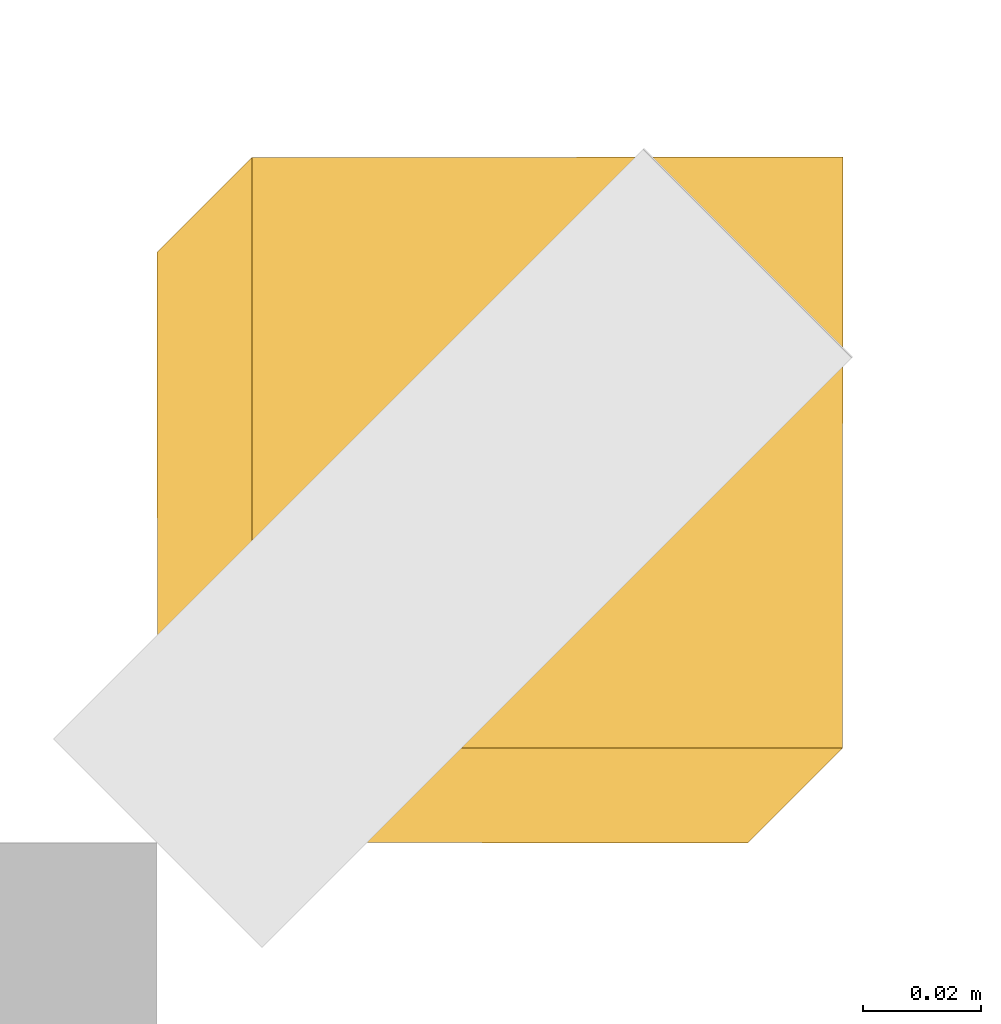
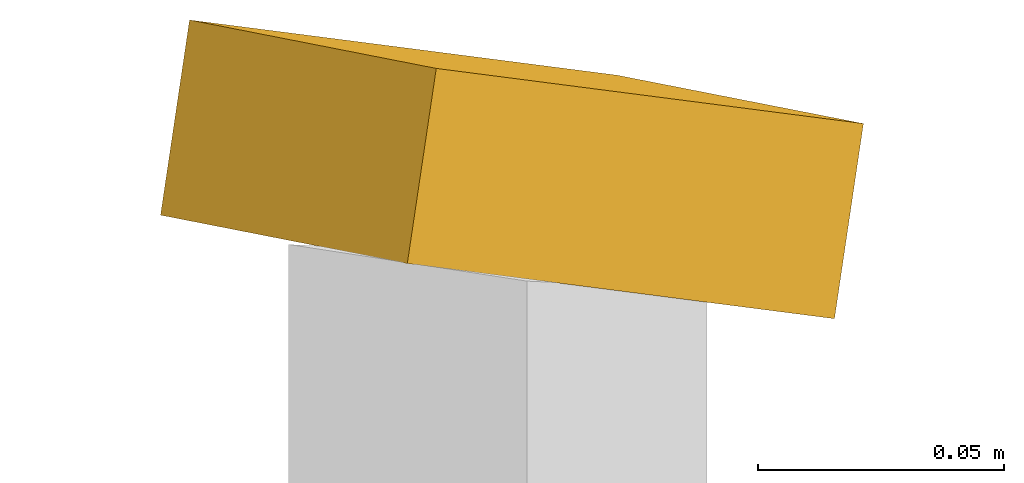
# One storey, part 10 of 10: 1 shading device.
"""IFC4 building model written with IfcOpenShell, lengths in metres."""

from ifc_helpers import new_model, si_unit, direction, frame, origin, place, context, subcontext, project, spatial, polyline, outline, extrude, material, layer, layer_set, type_object, element, save


model = new_model("IFC4")

# Units and contexts
model_context = context("Model", 3, precision=1e-05, world=origin(), true_north=direction((0.0, 1.0)))
body_context = subcontext(model_context, "Body", "Model", "MODEL_VIEW")
ifc_project = project(units=[si_unit("LENGTHUNIT", "METRE"), si_unit("AREAUNIT", "SQUARE_METRE"), si_unit("VOLUMEUNIT", "CUBIC_METRE"), si_unit("PLANEANGLEUNIT", "RADIAN"), si_unit("MASSUNIT", "GRAM", prefix="KILO")], contexts=[model_context])

# Site, building, storey
site_placement = place(None, origin())
site = spatial("IfcSite", under=ifc_project, at=site_placement, CompositionType="ELEMENT")
building_placement = place(site_placement, origin())
building = spatial("IfcBuilding", under=site, at=building_placement, Name="Ussher Court Research Institute", CompositionType="ELEMENT")
storey_placement = place(building_placement, frame((0.0, 0.0, 36.89990234375)))
storey = spatial("IfcBuildingStorey", under=building, at=storey_placement, Name="L08", CompositionType="ELEMENT", Elevation=36.89990234375)

# Shading device
ifc_material = material(Name="Bronze anodised aluminium", Category="aluminium")
ifc_layer = layer(ifc_material, 0.0400390625)
ifc_layer_set = layer_set([ifc_layer], Name="Bronze anodised aluminium")
shading_device_type = type_object("IfcShadingDeviceType", Name="Brim visor sheet 40 mm canted 26 deg wet", PredefinedType="USERDEFINED", material=ifc_layer_set)
shading_device_placement = place(storey_placement, frame((104.216064453125, 33.216064453125, 4.48291015625), z_axis=(0.400847757571, 0.400847757571, 0.823797396512), x_axis=(0.899269394429, -0.000362285341, -0.437395044544)))
element("IfcShadingDevice", 1, at=shading_device_placement, inside=storey, type_object=shading_device_type, Name="Brim visor sheet BR1 L08", ObjectType="BRIM", PredefinedType="USERDEFINED", context=body_context, shape_type="SweptSolid", body=[
    extrude(outline(polyline([(0.0, 0.0), (0.11126515272958254, 0.0), (0.13258606872546647, 0.10931209908468126), (0.021214130096336967, 0.10922405822982874), (0.0, 0.0)])), origin(), (0.0, 0.0, -1.0), 0.0400390625),
])

save(model, "model.ifc")
